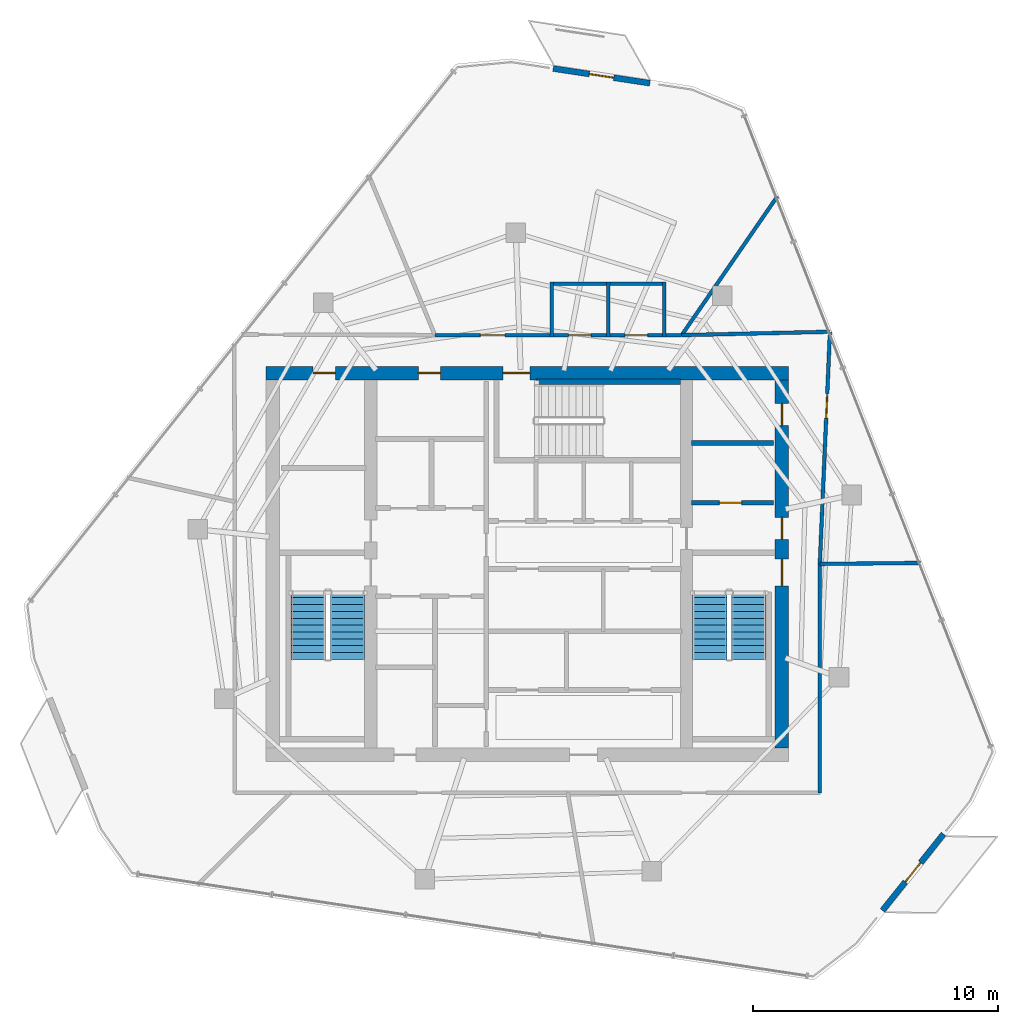
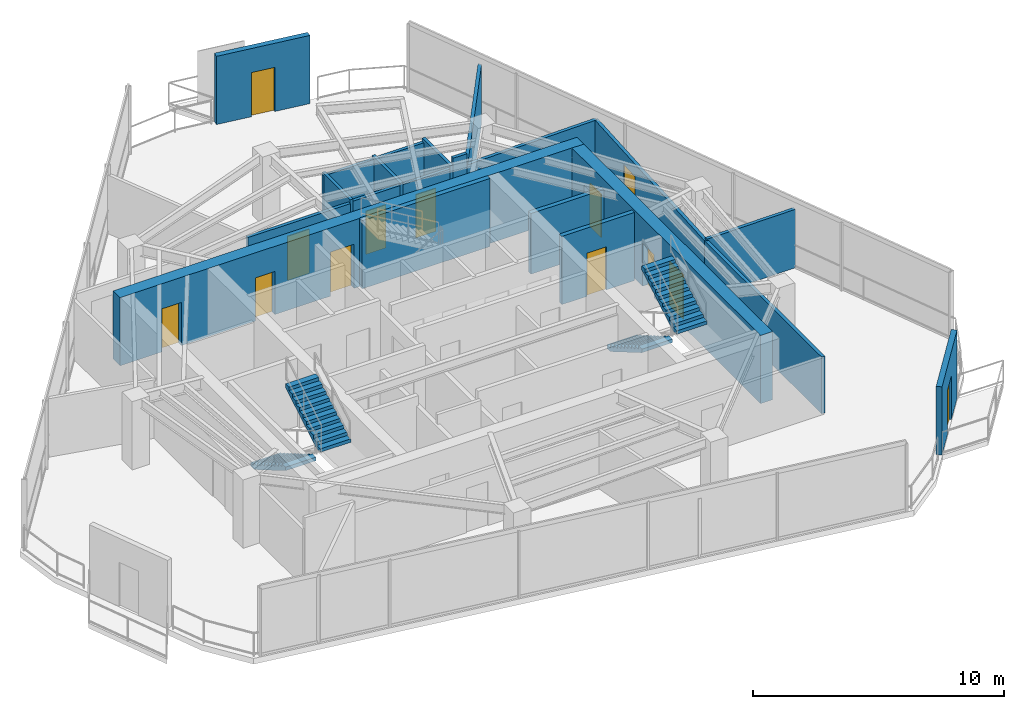
# One storey, part 16 of 19: 21 walls, 13 doors, 4 stair flights, 13 openings, 2 elements without a shape of their own.
"""IFC4 building model written with IfcOpenShell, lengths in metres."""

from ifc_helpers import new_model, si_unit, direction, frame, frame_2d, origin, place, context, subcontext, project, spatial, polyline, rectangle, outline, extrude, material, layer, layer_set, type_object, element, fill, aggregate, save


model = new_model("IFC4")

# Units and contexts
model_context = context("Model", 3, precision=1e-05, world=origin(), true_north=direction((0.0, 1.0)))
body_context = subcontext(model_context, "Body", "Model", "MODEL_VIEW")
ifc_project = project(units=[si_unit("LENGTHUNIT", "METRE"), si_unit("AREAUNIT", "SQUARE_METRE"), si_unit("VOLUMEUNIT", "CUBIC_METRE"), si_unit("PLANEANGLEUNIT", "RADIAN"), si_unit("MASSUNIT", "GRAM", prefix="KILO")], contexts=[model_context])

# Site, building, storey
site_placement = place(None, origin())
site = spatial("IfcSite", under=ifc_project, at=site_placement, CompositionType="ELEMENT")
building_placement = place(site_placement, origin())
building = spatial("IfcBuilding", under=site, at=building_placement, Name="Qarnah Convention Tower", CompositionType="ELEMENT")
storey_placement = place(building_placement, frame((0.0, 0.0, 260.699951171875)))
storey = spatial("IfcBuildingStorey", under=building, at=storey_placement, Name="L70", CompositionType="ELEMENT", Elevation=260.699951171875)

# Wall, openings, doors
ifc_material_1 = material(Name="Concrete C60/75", Category="concrete")
ifc_layer_1 = layer(ifc_material_1, 0.550048828125)
ifc_layer_set_1 = layer_set([ifc_layer_1], Name="Concrete C60/75")
wall_type_1 = type_object("IfcWallType", Name="WL-CORE-550", PredefinedType="SHEAR", material=ifc_layer_set_1)
wall_1_placement = place(storey_placement, frame((26.52490234375, 34.199951171875, 0.0), z_axis=(0.0, 0.0, 1.0), x_axis=(1.0, 0.0, 0.0)))
wall_1 = element("IfcWall", 1, at=wall_1_placement, inside=storey, type_object=wall_type_1, Name="L70 core north shear wall", PredefinedType="SHEAR", context=body_context, shape_type="SweptSolid", body=[
    extrude(rectangle(XDim=21.35009765625, YDim=0.550048828125, at=frame_2d((10.675048828125, 0.0))), origin(), (0.0, 0.0, 1.0), 3.320068359375),
])
opening_1_placement = place(wall_1_placement, frame((9.675048828125, 0.0, 0.0)))
opening_1 = element("IfcOpeningElement", 2, at=opening_1_placement, cuts=wall_1, Name="Opening D-7003", PredefinedType="OPENING", context=body_context, shape_type="SweptSolid", body=[
    extrude(rectangle(XDim=1.10009765625, YDim=2.14990234375, at=frame_2d((0.550048828125, 1.074951171875))), frame((0.0, 0.284912109375, 0.0), z_axis=(0.0, -1.0, 0.0), x_axis=(1.0, 0.0, 0.0)), (0.0, 0.0, 1.0), 0.570068359375),
])
opening_2_placement = place(wall_1_placement, frame((1.925048828125, 0.0, 0.0)))
opening_2 = element("IfcOpeningElement", 3, at=opening_2_placement, cuts=wall_1, Name="Opening D-7009", PredefinedType="OPENING", context=body_context, shape_type="SweptSolid", body=[
    extrude(rectangle(XDim=0.89990234375, YDim=2.10009765625, at=frame_2d((0.449951171875, 1.050048828125))), frame((0.0, 0.284912109375, 0.0), z_axis=(0.0, -1.0, 0.0), x_axis=(1.0, 0.0, 0.0)), (0.0, 0.0, 1.0), 0.570068359375),
])
opening_3_placement = place(wall_1_placement, frame((6.22509765625, 0.0, 0.0)))
opening_3 = element("IfcOpeningElement", 4, at=opening_3_placement, cuts=wall_1, Name="Opening D-7010", PredefinedType="OPENING", context=body_context, shape_type="SweptSolid", body=[
    extrude(rectangle(XDim=0.89990234375, YDim=2.10009765625, at=frame_2d((0.449951171875, 1.050048828125))), frame((0.0, 0.284912109375, 0.0), z_axis=(0.0, -1.0, 0.0), x_axis=(1.0, 0.0, 0.0)), (0.0, 0.0, 1.0), 0.570068359375),
])
ifc_material_2 = material(Name="Structural steel S355JR", Category="steel")
door_type_1 = type_object("IfcDoorType", Name="DT-RISER-900", OperationType="NOTDEFINED", PredefinedType="DOOR", material=ifc_material_2)
door_1_placement = place(opening_2_placement, origin())
door_1 = element("IfcDoor", 5, at=door_1_placement, inside=storey, type_object=door_type_1, Name="Door D-7009", OperationType="SINGLE_SWING_RIGHT", OverallHeight=2.10009765625, OverallWidth=0.89990234375, PredefinedType="DOOR", context=body_context, shape_type="SweptSolid", body=[
    extrude(rectangle(XDim=0.89990234375, YDim=2.10009765625, at=frame_2d((0.449951171875, 1.050048828125))), frame((0.0, 0.02490234375, 0.0), z_axis=(0.0, -1.0, 0.0), x_axis=(1.0, 0.0, 0.0)), (0.0, 0.0, 1.0), 0.050048828125),
])
fill(opening_2, door_1)
door_2_placement = place(opening_3_placement, origin())
door_2 = element("IfcDoor", 6, at=door_2_placement, inside=storey, type_object=door_type_1, Name="Door D-7010", OperationType="SINGLE_SWING_LEFT", OverallHeight=2.10009765625, OverallWidth=0.89990234375, PredefinedType="DOOR", context=body_context, shape_type="SweptSolid", body=[
    extrude(rectangle(XDim=0.89990234375, YDim=2.10009765625, at=frame_2d((0.449951171875, 1.050048828125))), frame((0.0, 0.02490234375, 0.0), z_axis=(0.0, -1.0, 0.0), x_axis=(1.0, 0.0, 0.0)), (0.0, 0.0, 1.0), 0.050048828125),
])
fill(opening_3, door_2)
door_type_2 = type_object("IfcDoorType", Name="DT-STAIR-1100", OperationType="NOTDEFINED", PredefinedType="DOOR", material=ifc_material_2)
door_3_placement = place(opening_1_placement, origin())
door_3 = element("IfcDoor", 7, at=door_3_placement, inside=storey, type_object=door_type_2, Name="Door D-7003", OperationType="SINGLE_SWING_RIGHT", OverallHeight=2.14990234375, OverallWidth=1.10009765625, PredefinedType="DOOR", context=body_context, shape_type="SweptSolid", body=[
    extrude(rectangle(XDim=1.10009765625, YDim=2.14990234375, at=frame_2d((0.550048828125, 1.074951171875))), frame((0.0, 0.02490234375, 0.0), z_axis=(0.0, -1.0, 0.0), x_axis=(1.0, 0.0, 0.0)), (0.0, 0.0, 1.0), 0.050048828125),
])
fill(opening_1, door_3)

wall_2_placement = place(storey_placement, frame((47.60009765625, 18.875, 0.0), z_axis=(0.0, 0.0, 1.0), x_axis=(0.0, 1.0, 0.0)))
wall_2 = element("IfcWall", 8, at=wall_2_placement, inside=storey, type_object=wall_type_1, Name="L70 core east shear wall", PredefinedType="SHEAR", context=body_context, shape_type="SweptSolid", body=[
    extrude(rectangle(XDim=15.050048828125, YDim=0.550048828125, at=frame_2d((7.52490234375, 0.0))), origin(), (0.0, 0.0, 1.0), 3.320068359375),
])
opening_4_placement = place(wall_2_placement, frame((6.625, 0.0, 0.0)))
opening_4 = element("IfcOpeningElement", 9, at=opening_4_placement, cuts=wall_2, Name="Opening D-7002", PredefinedType="OPENING", context=body_context, shape_type="SweptSolid", body=[
    extrude(rectangle(XDim=1.10009765625, YDim=2.14990234375, at=frame_2d((0.550048828125, 1.074951171875))), frame((0.0, 0.284912109375, 0.0), z_axis=(0.0, -1.0, 0.0), x_axis=(1.0, 0.0, 0.0)), (0.0, 0.0, 1.0), 0.570068359375),
])
opening_5_placement = place(wall_2_placement, frame((8.52490234375, 0.0, 0.0)))
opening_5 = element("IfcOpeningElement", 10, at=opening_5_placement, cuts=wall_2, Name="Opening D-7006", PredefinedType="OPENING", context=body_context, shape_type="SweptSolid", body=[
    extrude(rectangle(XDim=0.89990234375, YDim=2.10009765625, at=frame_2d((0.449951171875, 1.050048828125))), frame((0.0, 0.284912109375, 0.0), z_axis=(0.0, -1.0, 0.0), x_axis=(1.0, 0.0, 0.0)), (0.0, 0.0, 1.0), 0.570068359375),
])
opening_6_placement = place(wall_2_placement, frame((13.175048828125, 0.0, 0.0)))
opening_6 = element("IfcOpeningElement", 11, at=opening_6_placement, cuts=wall_2, Name="Opening D-7012", PredefinedType="OPENING", context=body_context, shape_type="SweptSolid", body=[
    extrude(rectangle(XDim=0.89990234375, YDim=2.10009765625, at=frame_2d((0.449951171875, 1.050048828125))), frame((0.0, 0.284912109375, 0.0), z_axis=(0.0, -1.0, 0.0), x_axis=(1.0, 0.0, 0.0)), (0.0, 0.0, 1.0), 0.570068359375),
])
door_4_placement = place(opening_5_placement, origin())
door_4 = element("IfcDoor", 12, at=door_4_placement, inside=storey, type_object=door_type_1, Name="Door D-7006", OperationType="SINGLE_SWING_LEFT", OverallHeight=2.10009765625, OverallWidth=0.89990234375, PredefinedType="DOOR", context=body_context, shape_type="SweptSolid", body=[
    extrude(rectangle(XDim=0.89990234375, YDim=2.10009765625, at=frame_2d((0.449951171875, 1.050048828125))), frame((0.0, 0.02490234375, 0.0), z_axis=(0.0, -1.0, 0.0), x_axis=(1.0, 0.0, 0.0)), (0.0, 0.0, 1.0), 0.050048828125),
])
fill(opening_5, door_4)
door_5_placement = place(opening_6_placement, origin())
door_5 = element("IfcDoor", 13, at=door_5_placement, inside=storey, type_object=door_type_1, Name="Door D-7012", OperationType="SINGLE_SWING_LEFT", OverallHeight=2.10009765625, OverallWidth=0.89990234375, PredefinedType="DOOR", context=body_context, shape_type="SweptSolid", body=[
    extrude(rectangle(XDim=0.89990234375, YDim=2.10009765625, at=frame_2d((0.449951171875, 1.050048828125))), frame((0.0, 0.02490234375, 0.0), z_axis=(0.0, -1.0, 0.0), x_axis=(1.0, 0.0, 0.0)), (0.0, 0.0, 1.0), 0.050048828125),
])
fill(opening_6, door_5)
door_6_placement = place(opening_4_placement, origin())
door_6 = element("IfcDoor", 14, at=door_6_placement, inside=storey, type_object=door_type_2, Name="Door D-7002", OperationType="SINGLE_SWING_LEFT", OverallHeight=2.14990234375, OverallWidth=1.10009765625, PredefinedType="DOOR", context=body_context, shape_type="SweptSolid", body=[
    extrude(rectangle(XDim=1.10009765625, YDim=2.14990234375, at=frame_2d((0.550048828125, 1.074951171875))), frame((0.0, 0.02490234375, 0.0), z_axis=(0.0, -1.0, 0.0), x_axis=(1.0, 0.0, 0.0)), (0.0, 0.0, 1.0), 0.050048828125),
])
fill(opening_4, door_6)

# Wall, opening, door
ifc_material_3 = material(Name="Concrete C45/55", Category="concrete")
ifc_layer_2 = layer(ifc_material_3, 0.199951171875)
ifc_layer_set_2 = layer_set([ifc_layer_2], Name="Concrete C45/55")
wall_type_2 = type_object("IfcWallType", Name="WL-CORE-PART-200", PredefinedType="SOLIDWALL", material=ifc_layer_set_2)
wall_3_placement = place(storey_placement, frame((43.89990234375, 28.89990234375, 0.0), z_axis=(0.0, 0.0, 1.0), x_axis=(1.0, 0.0, 0.0)))
wall_3 = element("IfcWall", 15, at=wall_3_placement, inside=storey, type_object=wall_type_2, Name="L70 interior wall IW-L70-EVSTN", PredefinedType="SOLIDWALL", context=body_context, shape_type="SweptSolid", body=[
    extrude(rectangle(XDim=3.35009765625, YDim=0.199951171875, at=frame_2d((1.675048828125, 0.0))), origin(), (0.0, 0.0, 1.0), 3.320068359375),
])
opening_7_placement = place(wall_3_placement, frame((1.14990234375, 0.0, 0.0)))
opening_7 = element("IfcOpeningElement", 16, at=opening_7_placement, cuts=wall_3, Name="Opening D-7011", PredefinedType="OPENING", context=body_context, shape_type="SweptSolid", body=[
    extrude(rectangle(XDim=0.89990234375, YDim=2.10009765625, at=frame_2d((0.449951171875, 1.050048828125))), frame((0.0, 0.10986328125, 0.0), z_axis=(0.0, -1.0, 0.0), x_axis=(1.0, 0.0, 0.0)), (0.0, 0.0, 1.0), 0.219970703125),
])
door_7_placement = place(opening_7_placement, origin())
door_7 = element("IfcDoor", 17, at=door_7_placement, inside=storey, type_object=door_type_1, Name="Door D-7011", OperationType="SINGLE_SWING_RIGHT", OverallHeight=2.10009765625, OverallWidth=0.89990234375, PredefinedType="DOOR", context=body_context, shape_type="SweptSolid", body=[
    extrude(rectangle(XDim=0.89990234375, YDim=2.10009765625, at=frame_2d((0.449951171875, 1.050048828125))), frame((0.0, 0.02490234375, 0.0), z_axis=(0.0, -1.0, 0.0), x_axis=(1.0, 0.0, 0.0)), (0.0, 0.0, 1.0), 0.050048828125),
])
fill(opening_7, door_7)

# Walls
wall_4_placement = place(storey_placement, frame((43.89990234375, 31.35009765625, 0.0), z_axis=(0.0, 0.0, 1.0), x_axis=(1.0, 0.0, 0.0)))
element("IfcWall", 18, at=wall_4_placement, inside=storey, type_object=wall_type_2, Name="L70 interior wall IW-L70-WTRN", PredefinedType="SOLIDWALL", context=body_context, shape_type="SweptSolid", body=[
    extrude(rectangle(XDim=3.35009765625, YDim=0.199951171875, at=frame_2d((1.675048828125, 0.0))), origin(), (0.0, 0.0, 1.0), 2.948974609375),
])
ifc_layer_3 = layer(ifc_material_1, 0.219970703125)
ifc_layer_set_3 = layer_set([ifc_layer_3], Name="Concrete C60/75")
wall_type_3 = type_object("IfcWallType", Name="WL-CORE-STAIR-220", PredefinedType="SHEAR", material=ifc_layer_set_3)
wall_5_placement = place(storey_placement, frame((37.550048828125, 33.840087890625, 0.0), z_axis=(0.0, 0.0, 1.0), x_axis=(1.0, 0.0, 0.0)))
element("IfcWall", 19, at=wall_5_placement, inside=storey, type_object=wall_type_3, Name="L70 stair shaft shear wall SW-L70-ST3N", PredefinedType="SHEAR", context=body_context, shape_type="SweptSolid", body=[
    extrude(rectangle(XDim=5.89990234375, YDim=0.219970703125, at=frame_2d((2.949951171875, 0.0))), origin(), (0.0, 0.0, 1.0), 3.320068359375),
])

# Wall, opening, door
ifc_material_4 = material(Name="Precast concrete C45/55", Category="concrete")
ifc_layer_4 = layer(ifc_material_4, 0.239990234375)
ifc_layer_set_4 = layer_set([ifc_layer_4], Name="Precast concrete C45/55")
wall_type_4 = type_object("IfcWallType", Name="WL-EXT-BAL-240", PredefinedType="SOLIDWALL", material=ifc_layer_set_4)
wall_6_placement = place(storey_placement, frame((38.2529296875, 46.64404296875, 0.0), z_axis=(0.0, 0.0, 1.0), x_axis=(0.9886842556, -0.150011475325, 0.0)))
wall_6 = element("IfcWall", 20, at=wall_6_placement, inside=storey, type_object=wall_type_4, Name="L70 loggia threshold wall BAL-L70-C1", PredefinedType="SOLIDWALL", context=body_context, shape_type="SweptSolid", body=[
    extrude(rectangle(XDim=4.000244140625, YDim=0.239990234375, at=frame_2d((2.0, 0.0))), origin(), (0.0, 0.0, 1.0), 3.320068359375),
])
opening_8_placement = place(wall_6_placement, frame((1.5, 0.0, 0.0)))
opening_8 = element("IfcOpeningElement", 21, at=opening_8_placement, cuts=wall_6, Name="Opening BD-7001", PredefinedType="OPENING", context=body_context, shape_type="SweptSolid", body=[
    extrude(rectangle(XDim=1.0, YDim=2.14990234375, at=frame_2d((0.5, 1.074951171875))), frame((0.0, 0.1298828125, 0.0), z_axis=(0.0, -1.0, 0.0), x_axis=(1.0, 0.0, 0.0)), (0.0, 0.0, 1.0), 0.260009765625),
])
ifc_material_5 = material(Name="Black anodised aluminium", Category="aluminium")
door_type_3 = type_object("IfcDoorType", Name="DT-BAL-1000", OperationType="NOTDEFINED", PredefinedType="DOOR", material=ifc_material_5)
door_8_placement = place(opening_8_placement, origin())
door_8 = element("IfcDoor", 22, at=door_8_placement, inside=storey, type_object=door_type_3, Name="L70 balcony terrace door BAL-L70-C1", OperationType="SINGLE_SWING_LEFT", OverallHeight=2.14990234375, OverallWidth=1.0, PredefinedType="DOOR", context=body_context, shape_type="SweptSolid", body=[
    extrude(rectangle(XDim=1.0, YDim=2.14990234375, at=frame_2d((0.5, 1.074951171875))), frame((0.0, 0.02490234375, 0.0), z_axis=(0.0, -1.0, 0.0), x_axis=(1.0, 0.0, 0.0)), (0.0, 0.0, 1.0), 0.050048828125),
])
fill(opening_8, door_8)

wall_7_placement = place(storey_placement, frame((54.2060546875, 15.365966796875, 0.0), z_axis=(0.0, 0.0, 1.0), x_axis=(-0.62439732423, -0.78110689505, 0.0)))
wall_7 = element("IfcWall", 23, at=wall_7_placement, inside=storey, type_object=wall_type_4, Name="L70 loggia threshold wall BAL-L70-C3", PredefinedType="SOLIDWALL", context=body_context, shape_type="SweptSolid", body=[
    extrude(rectangle(XDim=4.000732421875, YDim=0.239990234375, at=frame_2d((2.00048828125, 0.0))), origin(), (0.0, 0.0, 1.0), 3.320068359375),
])
opening_9_placement = place(wall_7_placement, frame((1.5, 0.0, 0.0)))
opening_9 = element("IfcOpeningElement", 24, at=opening_9_placement, cuts=wall_7, Name="Opening BD-7003", PredefinedType="OPENING", context=body_context, shape_type="SweptSolid", body=[
    extrude(rectangle(XDim=1.0, YDim=2.14990234375, at=frame_2d((0.5, 1.074951171875))), frame((0.0, 0.1298828125, 0.0), z_axis=(0.0, -1.0, 0.0), x_axis=(1.0, 0.0, 0.0)), (0.0, 0.0, 1.0), 0.260009765625),
])
door_9_placement = place(opening_9_placement, origin())
door_9 = element("IfcDoor", 25, at=door_9_placement, inside=storey, type_object=door_type_3, Name="L70 balcony terrace door BAL-L70-C3", OperationType="SINGLE_SWING_LEFT", OverallHeight=2.14990234375, OverallWidth=1.0, PredefinedType="DOOR", context=body_context, shape_type="SweptSolid", body=[
    extrude(rectangle(XDim=1.0, YDim=2.14990234375, at=frame_2d((0.5, 1.074951171875))), frame((0.0, 0.02490234375, 0.0), z_axis=(0.0, -1.0, 0.0), x_axis=(1.0, 0.0, 0.0)), (0.0, 0.0, 1.0), 0.050048828125),
])
fill(opening_9, door_9)

# Walls
ifc_material_6 = material(Name="Gypsum partition board")
ifc_layer_5 = layer(ifc_material_6, 0.14990234375)
ifc_layer_set_5 = layer_set([ifc_layer_5], Name="Gypsum partition board")
wall_type_5 = type_object("IfcWallType", Name="WL-SUITE-150", PredefinedType="PARTITIONING", material=ifc_layer_set_5)
wall_8_placement = place(storey_placement, frame((47.412109375, 41.4189453125, 0.0), z_axis=(0.0, 0.0, 1.0), x_axis=(-0.567281184111, -0.823524169744, 0.0)))
element("IfcWall", 26, at=wall_8_placement, inside=storey, type_object=wall_type_5, Name="L70 interior wall IW-L70-R-08", PredefinedType="PARTITIONING", context=body_context, shape_type="SweptSolid", body=[
    extrude(rectangle(XDim=6.8837890625, YDim=0.14990234375, at=frame_2d((3.44189453125, 0.0))), origin(), (0.0, 0.0, 1.0), 2.844970703125),
])
wall_9_placement = place(storey_placement, frame((43.507080078125, 35.75, 0.0), z_axis=(0.0, 0.0, 1.0), x_axis=(0.999740689868, 0.022771759314, 0.0)))
element("IfcWall", 27, at=wall_9_placement, inside=storey, type_object=wall_type_5, Name="L70 interior wall IW-L70-R-09", PredefinedType="PARTITIONING", context=body_context, shape_type="SweptSolid", body=[
    extrude(rectangle(XDim=6.057373046875, YDim=0.14990234375, at=frame_2d((3.02880859375, 0.0))), origin(), (0.0, 0.0, 1.0), 2.76513671875),
])

# Wall, opening, door
wall_10_placement = place(storey_placement, frame((49.56298828125, 35.887939453125, 0.0), z_axis=(0.0, 0.0, 1.0), x_axis=(-0.043496350445, -0.999053585899, 0.0)))
wall_10 = element("IfcWall", 28, at=wall_10_placement, inside=storey, type_object=wall_type_5, Name="L70 interior wall IW-L70-R-10", PredefinedType="PARTITIONING", context=body_context, shape_type="SweptSolid", body=[
    extrude(rectangle(XDim=9.4970703125, YDim=0.14990234375, at=frame_2d((4.74853515625, 0.0))), origin(), (0.0, 0.0, 1.0), 2.76513671875),
])
opening_10_placement = place(wall_10_placement, frame((2.531005859375, 0.0, 0.0)))
opening_10 = element("IfcOpeningElement", 29, at=opening_10_placement, cuts=wall_10, Name="Opening D-7022", PredefinedType="OPENING", context=body_context, shape_type="SweptSolid", body=[
    extrude(rectangle(XDim=1.0, YDim=2.14990234375, at=frame_2d((0.5, 1.074951171875))), frame((0.0, 0.0849609375, 0.0), z_axis=(0.0, -1.0, 0.0), x_axis=(1.0, 0.0, 0.0)), (0.0, 0.0, 1.0), 0.169921875),
])
ifc_material_7 = material(Name="Oak timber veneer", Category="wood")
door_type_4 = type_object("IfcDoorType", Name="DT-OFFICE-1000", OperationType="NOTDEFINED", PredefinedType="DOOR", material=ifc_material_7)
door_10_placement = place(opening_10_placement, origin())
door_10 = element("IfcDoor", 30, at=door_10_placement, inside=storey, type_object=door_type_4, Name="Door D-7022", OperationType="SINGLE_SWING_LEFT", OverallHeight=2.14990234375, OverallWidth=1.0, PredefinedType="DOOR", context=body_context, shape_type="SweptSolid", body=[
    extrude(rectangle(XDim=1.0, YDim=2.14990234375, at=frame_2d((0.5, 1.074951171875))), frame((0.0, 0.02490234375, 0.0), z_axis=(0.0, -1.0, 0.0), x_axis=(1.0, 0.0, 0.0)), (0.0, 0.0, 1.0), 0.050048828125),
])
fill(opening_10, door_10)

# Wall
wall_11_placement = place(storey_placement, frame((49.14990234375, 26.39990234375, 0.0), z_axis=(0.0, 0.0, 1.0), x_axis=(0.999944708207, 0.010515727726, 0.0)))
element("IfcWall", 31, at=wall_11_placement, inside=storey, type_object=wall_type_5, Name="L70 interior wall IW-L70-R-11", PredefinedType="PARTITIONING", context=body_context, shape_type="SweptSolid", body=[
    extrude(rectangle(XDim=4.109375, YDim=0.14990234375, at=frame_2d((2.0546875, 0.0))), origin(), (0.0, 0.0, 1.0), 2.844970703125),
])

# Wall, opening, door
wall_12_placement = place(storey_placement, frame((33.422119140625, 35.75, 0.0), z_axis=(0.0, 0.0, 1.0), x_axis=(1.0, 0.0, 0.0)))
wall_12 = element("IfcWall", 32, at=wall_12_placement, inside=storey, type_object=wall_type_5, Name="L70 interior wall IW-L70-R-13", PredefinedType="PARTITIONING", context=body_context, shape_type="SweptSolid", body=[
    extrude(rectangle(XDim=4.707763671875, YDim=0.14990234375, at=frame_2d((2.35400390625, 0.0))), origin(), (0.0, 0.0, 1.0), 2.76513671875),
])
opening_11_placement = place(wall_12_placement, frame((1.85400390625, 0.0, 0.0)))
opening_11 = element("IfcOpeningElement", 33, at=opening_11_placement, cuts=wall_12, Name="Opening D-7023", PredefinedType="OPENING", context=body_context, shape_type="SweptSolid", body=[
    extrude(rectangle(XDim=1.0, YDim=2.14990234375, at=frame_2d((0.5, 1.074951171875))), frame((0.0, 0.0849609375, 0.0), z_axis=(0.0, -1.0, 0.0), x_axis=(1.0, 0.0, 0.0)), (0.0, 0.0, 1.0), 0.169921875),
])
door_11_placement = place(opening_11_placement, origin())
door_11 = element("IfcDoor", 34, at=door_11_placement, inside=storey, type_object=door_type_4, Name="Door D-7023", OperationType="SINGLE_SWING_RIGHT", OverallHeight=2.14990234375, OverallWidth=1.0, PredefinedType="DOOR", context=body_context, shape_type="SweptSolid", body=[
    extrude(rectangle(XDim=1.0, YDim=2.14990234375, at=frame_2d((0.5, 1.074951171875))), frame((0.0, 0.02490234375, 0.0), z_axis=(0.0, -1.0, 0.0), x_axis=(1.0, 0.0, 0.0)), (0.0, 0.0, 1.0), 0.050048828125),
])
fill(opening_11, door_11)

# Walls
wall_13_placement = place(storey_placement, frame((42.8701171875, 35.75, 0.0), z_axis=(0.0, 0.0, 1.0), x_axis=(1.0, 0.0, 0.0)))
element("IfcWall", 35, at=wall_13_placement, inside=storey, type_object=wall_type_5, Name="L70 interior wall IW-L70-R-14", PredefinedType="PARTITIONING", context=body_context, shape_type="SweptSolid", body=[
    extrude(rectangle(XDim=0.636962890625, YDim=0.14990234375, at=frame_2d((0.318359375, 0.0))), origin(), (0.0, 0.0, 1.0), 3.320068359375),
])
wall_14_placement = place(storey_placement, frame((49.14990234375, 26.39990234375, 0.0), z_axis=(0.0, 0.0, 1.0), x_axis=(0.0, -1.0, 0.0)))
element("IfcWall", 36, at=wall_14_placement, inside=storey, type_object=wall_type_5, Name="L70 interior wall IW-L70-R-23", PredefinedType="PARTITIONING", context=body_context, shape_type="SweptSolid", body=[
    extrude(rectangle(XDim=9.349853515625, YDim=0.14990234375, at=frame_2d((4.6748046875, 0.0))), origin(), (0.0, 0.0, 1.0), 2.76513671875),
])

# Wall, opening, door
ifc_layer_6 = layer(ifc_material_6, 0.139892578125)
ifc_layer_set_6 = layer_set([ifc_layer_6], Name="Gypsum partition board")
wall_type_6 = type_object("IfcWallType", Name="WL-WET-140", PredefinedType="PARTITIONING", material=ifc_layer_set_6)
wall_15_placement = place(storey_placement, frame((38.1298828125, 35.75, 0.0), z_axis=(0.0, 0.0, 1.0), x_axis=(1.0, 0.0, 0.0)))
wall_15 = element("IfcWall", 37, at=wall_15_placement, inside=storey, type_object=wall_type_6, Name="L70 interior wall IW-L70-WCM-1", PredefinedType="PARTITIONING", context=body_context, shape_type="SweptSolid", body=[
    extrude(rectangle(XDim=2.440185546875, YDim=0.139892578125, at=frame_2d((1.22021484375, 0.0))), origin(), (0.0, 0.0, 1.0), 2.841064453125),
])
opening_12_placement = place(wall_15_placement, frame((0.760009765625, 0.0, 0.0)))
opening_12 = element("IfcOpeningElement", 38, at=opening_12_placement, cuts=wall_15, Name="Opening D-7020", PredefinedType="OPENING", context=body_context, shape_type="SweptSolid", body=[
    extrude(rectangle(XDim=0.919921875, YDim=2.10009765625, at=frame_2d((0.4599609375, 1.050048828125))), frame((0.0, 0.079833984375, 0.0), z_axis=(0.0, -1.0, 0.0), x_axis=(1.0, 0.0, 0.0)), (0.0, 0.0, 1.0), 0.159912109375),
])
door_type_5 = type_object("IfcDoorType", Name="DT-WC-920", OperationType="NOTDEFINED", PredefinedType="DOOR", material=ifc_material_7)
door_12_placement = place(opening_12_placement, origin())
door_12 = element("IfcDoor", 39, at=door_12_placement, inside=storey, type_object=door_type_5, Name="Door D-7020", OperationType="SINGLE_SWING_LEFT", OverallHeight=2.10009765625, OverallWidth=0.919921875, PredefinedType="DOOR", context=body_context, shape_type="SweptSolid", body=[
    extrude(rectangle(XDim=0.919921875, YDim=2.10009765625, at=frame_2d((0.4599609375, 1.050048828125))), frame((0.0, 0.02490234375, 0.0), z_axis=(0.0, -1.0, 0.0), x_axis=(1.0, 0.0, 0.0)), (0.0, 0.0, 1.0), 0.050048828125),
])
fill(opening_12, door_12)

# Walls
wall_16_placement = place(storey_placement, frame((40.5, 35.679931640625, 0.0), z_axis=(0.0, 0.0, 1.0), x_axis=(0.0, 1.0, 0.0)))
element("IfcWall", 40, at=wall_16_placement, inside=storey, type_object=wall_type_6, Name="L70 interior wall IW-L70-WCM-2", PredefinedType="PARTITIONING", context=body_context, shape_type="SweptSolid", body=[
    extrude(rectangle(XDim=2.239990234375, YDim=0.139892578125, at=frame_2d((1.1201171875, 0.0))), origin(), (0.0, 0.0, 1.0), 2.948974609375),
])
wall_17_placement = place(storey_placement, frame((40.570068359375, 37.85009765625, 0.0), z_axis=(0.0, 0.0, 1.0), x_axis=(-1.0, 0.0, 0.0)))
element("IfcWall", 41, at=wall_17_placement, inside=storey, type_object=wall_type_6, Name="L70 interior wall IW-L70-WCM-3", PredefinedType="PARTITIONING", context=body_context, shape_type="SweptSolid", body=[
    extrude(rectangle(XDim=2.440185546875, YDim=0.139892578125, at=frame_2d((1.22021484375, 0.0))), origin(), (0.0, 0.0, 1.0), 2.841064453125),
])
wall_18_placement = place(storey_placement, frame((38.199951171875, 37.919921875, 0.0), z_axis=(0.0, 0.0, 1.0), x_axis=(0.0, -1.0, 0.0)))
element("IfcWall", 42, at=wall_18_placement, inside=storey, type_object=wall_type_6, Name="L70 interior wall IW-L70-WCM-4", PredefinedType="PARTITIONING", context=body_context, shape_type="SweptSolid", body=[
    extrude(rectangle(XDim=2.239990234375, YDim=0.139892578125, at=frame_2d((1.1201171875, 0.0))), origin(), (0.0, 0.0, 1.0), 2.948974609375),
])

# Wall, opening, door
wall_19_placement = place(storey_placement, frame((40.429931640625, 35.75, 0.0), z_axis=(0.0, 0.0, 1.0), x_axis=(1.0, 0.0, 0.0)))
wall_19 = element("IfcWall", 43, at=wall_19_placement, inside=storey, type_object=wall_type_6, Name="L70 interior wall IW-L70-WCF-1", PredefinedType="PARTITIONING", context=body_context, shape_type="SweptSolid", body=[
    extrude(rectangle(XDim=2.440185546875, YDim=0.139892578125, at=frame_2d((1.22021484375, 0.0))), origin(), (0.0, 0.0, 1.0), 2.841064453125),
])
opening_13_placement = place(wall_19_placement, frame((0.760009765625, 0.0, 0.0)))
opening_13 = element("IfcOpeningElement", 44, at=opening_13_placement, cuts=wall_19, Name="Opening D-7021", PredefinedType="OPENING", context=body_context, shape_type="SweptSolid", body=[
    extrude(rectangle(XDim=0.919921875, YDim=2.10009765625, at=frame_2d((0.4599609375, 1.050048828125))), frame((0.0, 0.079833984375, 0.0), z_axis=(0.0, -1.0, 0.0), x_axis=(1.0, 0.0, 0.0)), (0.0, 0.0, 1.0), 0.159912109375),
])
door_13_placement = place(opening_13_placement, origin())
door_13 = element("IfcDoor", 45, at=door_13_placement, inside=storey, type_object=door_type_5, Name="Door D-7021", OperationType="SINGLE_SWING_RIGHT", OverallHeight=2.10009765625, OverallWidth=0.919921875, PredefinedType="DOOR", context=body_context, shape_type="SweptSolid", body=[
    extrude(rectangle(XDim=0.919921875, YDim=2.10009765625, at=frame_2d((0.4599609375, 1.050048828125))), frame((0.0, 0.02490234375, 0.0), z_axis=(0.0, -1.0, 0.0), x_axis=(1.0, 0.0, 0.0)), (0.0, 0.0, 1.0), 0.050048828125),
])
fill(opening_13, door_13)

# Walls
wall_20_placement = place(storey_placement, frame((42.800048828125, 35.679931640625, 0.0), z_axis=(0.0, 0.0, 1.0), x_axis=(0.0, 1.0, 0.0)))
element("IfcWall", 46, at=wall_20_placement, inside=storey, type_object=wall_type_6, Name="L70 interior wall IW-L70-WCF-2", PredefinedType="PARTITIONING", context=body_context, shape_type="SweptSolid", body=[
    extrude(rectangle(XDim=2.239990234375, YDim=0.139892578125, at=frame_2d((1.1201171875, 0.0))), origin(), (0.0, 0.0, 1.0), 2.9931640625),
])
wall_21_placement = place(storey_placement, frame((42.8701171875, 37.85009765625, 0.0), z_axis=(0.0, 0.0, 1.0), x_axis=(-1.0, 0.0, 0.0)))
element("IfcWall", 47, at=wall_21_placement, inside=storey, type_object=wall_type_6, Name="L70 interior wall IW-L70-WCF-3", PredefinedType="PARTITIONING", context=body_context, shape_type="SweptSolid", body=[
    extrude(rectangle(XDim=2.440185546875, YDim=0.139892578125, at=frame_2d((1.22021484375, 0.0))), origin(), (0.0, 0.0, 1.0), 2.841064453125),
])

# Stair, stair flights
ifc_material_8 = material(Name="Concrete C50/60", Category="concrete")
stair_type = type_object("IfcStairType", Name="STR-OFF", PredefinedType="HALF_TURN_STAIR", material=ifc_material_8)
stair_1_placement = place(storey_placement, origin())
stair_1 = element("IfcStair", 48, at=stair_1_placement, inside=storey, type_object=stair_type, Name="L70 Core exit stair ST-1", PredefinedType="HALF_TURN_STAIR")
stair_flight_type = type_object("IfcStairFlightType", Name="FLT-OFF", PredefinedType="STRAIGHT", material=ifc_material_8)
stair_flight_1_placement = place(storey_placement, frame((28.25, 25.300048828125, 0.0), z_axis=(0.0, 0.0, 1.0), x_axis=(0.0, -1.0, 0.0)))
stair_flight_1 = element("IfcStairFlight", 49, at=stair_flight_1_placement, type_object=stair_flight_type, Name="ST-1 flight 1", NumberOfRisers=11, NumberOfTreads=10, PredefinedType="STRAIGHT", RiserHeight=0.163636364, TreadLength=0.28, context=body_context, shape_type="SweptSolid", body=[
    extrude(outline(polyline([(0.0, 0.0), (0.0, 0.16357421875), (0.280029296875, 0.16357421875), (0.280029296875, 0.327392578125), (0.56005859375, 0.327392578125), (0.56005859375, 0.490966796875), (0.840087890625, 0.490966796875), (0.840087890625, 0.654541015625), (1.1201171875, 0.654541015625), (1.1201171875, 0.818115234375), (1.39990234375, 0.818115234375), (1.39990234375, 0.98193359375), (1.679931640625, 0.98193359375), (1.679931640625, 1.1455078125), (1.9599609375, 1.1455078125), (1.9599609375, 1.30908203125), (2.239990234375, 1.30908203125), (2.239990234375, 1.47265625), (2.52001953125, 1.47265625), (2.52001953125, 1.636474609375), (2.800048828125, 1.636474609375), (2.800048828125, 1.800048828125), (2.800048828125, 1.462646484375), (0.297119140625, 0.0), (0.0, 0.0)])), frame((0.0, 0.699951171875, 0.0), z_axis=(0.0, -1.0, 0.0), x_axis=(1.0, 0.0, 0.0)), (0.0, 0.0, 1.0), 1.39990234375),
])
stair_flight_2_placement = place(storey_placement, frame((29.85009765625, 22.5, 1.800048828125), z_axis=(0.0, 0.0, 1.0), x_axis=(0.0, 1.0, 0.0)))
stair_flight_2 = element("IfcStairFlight", 50, at=stair_flight_2_placement, type_object=stair_flight_type, Name="ST-1 flight 2", NumberOfRisers=11, NumberOfTreads=10, PredefinedType="STRAIGHT", RiserHeight=0.163636364, TreadLength=0.28, context=body_context, shape_type="SweptSolid", body=[
    extrude(outline(polyline([(0.0, 0.0), (0.0, 0.16357421875), (0.280029296875, 0.16357421875), (0.280029296875, 0.327392578125), (0.56005859375, 0.327392578125), (0.56005859375, 0.490966796875), (0.840087890625, 0.490966796875), (0.840087890625, 0.654541015625), (1.1201171875, 0.654541015625), (1.1201171875, 0.818115234375), (1.39990234375, 0.818115234375), (1.39990234375, 0.98193359375), (1.679931640625, 0.98193359375), (1.679931640625, 1.1455078125), (1.9599609375, 1.1455078125), (1.9599609375, 1.30908203125), (2.239990234375, 1.30908203125), (2.239990234375, 1.47265625), (2.52001953125, 1.47265625), (2.52001953125, 1.636474609375), (2.800048828125, 1.636474609375), (2.800048828125, 1.800048828125), (2.800048828125, 1.462646484375), (0.297119140625, 0.0), (0.0, 0.0)])), frame((0.0, 0.699951171875, 0.0), z_axis=(0.0, -1.0, 0.0), x_axis=(1.0, 0.0, 0.0)), (0.0, 0.0, 1.0), 1.39990234375),
])
aggregate(stair_1, [stair_flight_1, stair_flight_2])

stair_2_placement = place(storey_placement, origin())
stair_2 = element("IfcStair", 51, at=stair_2_placement, inside=storey, type_object=stair_type, Name="L70 Core exit stair ST-2", PredefinedType="HALF_TURN_STAIR")
stair_flight_3_placement = place(storey_placement, frame((44.64990234375, 25.300048828125, 0.0), z_axis=(0.0, 0.0, 1.0), x_axis=(0.0, -1.0, 0.0)))
stair_flight_3 = element("IfcStairFlight", 52, at=stair_flight_3_placement, type_object=stair_flight_type, Name="ST-2 flight 1", NumberOfRisers=11, NumberOfTreads=10, PredefinedType="STRAIGHT", RiserHeight=0.163636364, TreadLength=0.28, context=body_context, shape_type="SweptSolid", body=[
    extrude(outline(polyline([(0.0, 0.0), (0.0, 0.16357421875), (0.280029296875, 0.16357421875), (0.280029296875, 0.327392578125), (0.56005859375, 0.327392578125), (0.56005859375, 0.490966796875), (0.840087890625, 0.490966796875), (0.840087890625, 0.654541015625), (1.1201171875, 0.654541015625), (1.1201171875, 0.818115234375), (1.39990234375, 0.818115234375), (1.39990234375, 0.98193359375), (1.679931640625, 0.98193359375), (1.679931640625, 1.1455078125), (1.9599609375, 1.1455078125), (1.9599609375, 1.30908203125), (2.239990234375, 1.30908203125), (2.239990234375, 1.47265625), (2.52001953125, 1.47265625), (2.52001953125, 1.636474609375), (2.800048828125, 1.636474609375), (2.800048828125, 1.800048828125), (2.800048828125, 1.462646484375), (0.297119140625, 0.0), (0.0, 0.0)])), frame((0.0, 0.699951171875, 0.0), z_axis=(0.0, -1.0, 0.0), x_axis=(1.0, 0.0, 0.0)), (0.0, 0.0, 1.0), 1.39990234375),
])
stair_flight_4_placement = place(storey_placement, frame((46.25, 22.5, 1.800048828125), z_axis=(0.0, 0.0, 1.0), x_axis=(0.0, 1.0, 0.0)))
stair_flight_4 = element("IfcStairFlight", 53, at=stair_flight_4_placement, type_object=stair_flight_type, Name="ST-2 flight 2", NumberOfRisers=11, NumberOfTreads=10, PredefinedType="STRAIGHT", RiserHeight=0.163636364, TreadLength=0.28, context=body_context, shape_type="SweptSolid", body=[
    extrude(outline(polyline([(0.0, 0.0), (0.0, 0.16357421875), (0.280029296875, 0.16357421875), (0.280029296875, 0.327392578125), (0.56005859375, 0.327392578125), (0.56005859375, 0.490966796875), (0.840087890625, 0.490966796875), (0.840087890625, 0.654541015625), (1.1201171875, 0.654541015625), (1.1201171875, 0.818115234375), (1.39990234375, 0.818115234375), (1.39990234375, 0.98193359375), (1.679931640625, 0.98193359375), (1.679931640625, 1.1455078125), (1.9599609375, 1.1455078125), (1.9599609375, 1.30908203125), (2.239990234375, 1.30908203125), (2.239990234375, 1.47265625), (2.52001953125, 1.47265625), (2.52001953125, 1.636474609375), (2.800048828125, 1.636474609375), (2.800048828125, 1.800048828125), (2.800048828125, 1.462646484375), (0.297119140625, 0.0), (0.0, 0.0)])), frame((0.0, 0.699951171875, 0.0), z_axis=(0.0, -1.0, 0.0), x_axis=(1.0, 0.0, 0.0)), (0.0, 0.0, 1.0), 1.39990234375),
])
aggregate(stair_2, [stair_flight_3, stair_flight_4])

save(model, "model.ifc")
